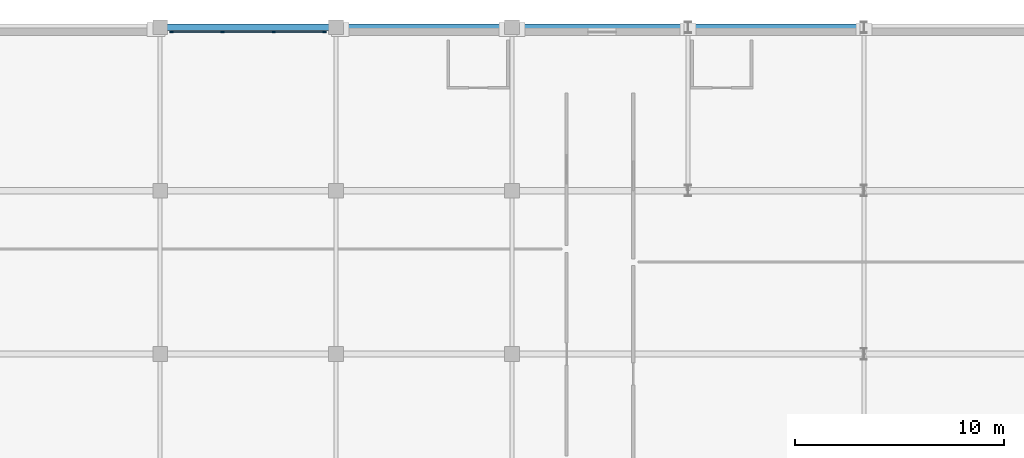
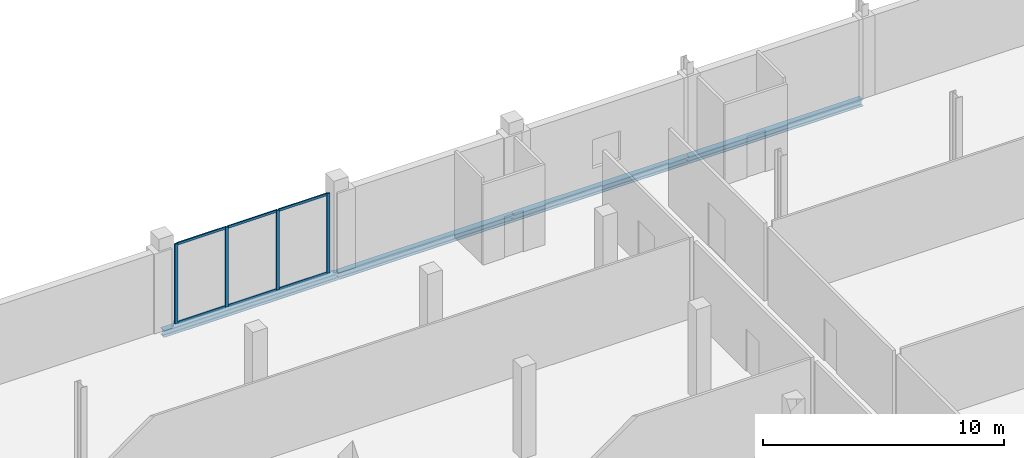
# One storey, part 59 of 98: 10 members, 4 beams, 1 element without a shape of its own.
"""IFC4 building model written with IfcOpenShell, lengths in metres."""

from ifc_helpers import new_model, si_unit, direction, frame, origin, origin_2d, place, context, subcontext, project, spatial, rectangle, i_section, extrude, material, material_profile, profile_set, type_object, element, aggregate, save


model = new_model("IFC4")

# Units and contexts
model_context = context("Model", 3, precision=1e-05, world=origin(), true_north=direction((0.0, 1.0)))
body_context = subcontext(model_context, "Body", "Model", "MODEL_VIEW")
ifc_project = project(units=[si_unit("LENGTHUNIT", "METRE"), si_unit("AREAUNIT", "SQUARE_METRE"), si_unit("VOLUMEUNIT", "CUBIC_METRE"), si_unit("PLANEANGLEUNIT", "RADIAN"), si_unit("MASSUNIT", "GRAM", prefix="KILO")], contexts=[model_context])

# Site, building, storey
site_placement = place(None, origin())
site = spatial("IfcSite", under=ifc_project, at=site_placement, CompositionType="ELEMENT")
building_placement = place(site_placement, origin())
building = spatial("IfcBuilding", under=site, at=building_placement, Name="Nabrawat Pavilion Hospital", CompositionType="ELEMENT")
storey_placement = place(building_placement, frame((0.0, 0.0, 10.199951171875)))
storey = spatial("IfcBuildingStorey", under=building, at=storey_placement, Name="L02", CompositionType="ELEMENT", Elevation=10.199951171875)

# Curtain wall, members
ifc_material_1 = material(Name="Anodised Aluminium", Category="aluminium")
curtain_wall_type = type_object("IfcCurtainWallType", Name="Inpatient Dayroom Bay Curtain Wall", PredefinedType="USERDEFINED", material=ifc_material_1)
curtain_wall_placement = place(storey_placement, origin())
curtain_wall = element("IfcCurtainWall", 1, at=curtain_wall_placement, inside=storey, type_object=curtain_wall_type, Name="L02 Inpatient Dayroom Bay Curtain Wall 137", ObjectType="CURTAIN WALL", PredefinedType="USERDEFINED")
ifc_material_profile_1 = material_profile(ifc_material_1, rectangle(XDim=0.06005859375, YDim=0.159912109375, at=origin_2d()), Name="CWM 60x160")
ifc_profile_set_1 = profile_set([ifc_material_profile_1], Name="Anodised Aluminium")
member_type_1 = type_object("IfcMemberType", Name="Inpatient Dayroom Bay Curtain Wall Mullion CWM 60x160", PredefinedType="MULLION", material=ifc_profile_set_1)
member_1_placement = place(storey_placement, frame((143.35009765625, 124.580078125, 0.0), z_axis=(0.0, 0.0, 1.0), x_axis=(0.0, 1.0, 0.0)))
member_1 = element("IfcMember", 2, at=member_1_placement, type_object=member_type_1, Name="CW-WRD-01 mullion 1", PredefinedType="MULLION", context=body_context, shape_type="SweptSolid", body=[
    extrude(rectangle(XDim=0.06005859375, YDim=0.159912109375, at=origin_2d()), origin(), (0.0, 0.0, 1.0), 4.050048828125),
])
member_2_placement = place(storey_placement, frame((145.7734375, 124.580078125, 0.0), z_axis=(0.0, 0.0, 1.0), x_axis=(0.0, 1.0, 0.0)))
member_2 = element("IfcMember", 3, at=member_2_placement, type_object=member_type_1, Name="CW-WRD-01 mullion 2", PredefinedType="MULLION", context=body_context, shape_type="SweptSolid", body=[
    extrude(rectangle(XDim=0.06005859375, YDim=0.159912109375, at=origin_2d()), origin(), (0.0, 0.0, 1.0), 4.050048828125),
])
member_3_placement = place(storey_placement, frame((148.2265625, 124.580078125, 0.0), z_axis=(0.0, 0.0, 1.0), x_axis=(0.0, 1.0, 0.0)))
member_3 = element("IfcMember", 4, at=member_3_placement, type_object=member_type_1, Name="CW-WRD-01 mullion 3", PredefinedType="MULLION", context=body_context, shape_type="SweptSolid", body=[
    extrude(rectangle(XDim=0.06005859375, YDim=0.159912109375, at=origin_2d()), origin(), (0.0, 0.0, 1.0), 4.050048828125),
])
member_4_placement = place(storey_placement, frame((150.64990234375, 124.580078125, 0.0), z_axis=(0.0, 0.0, 1.0), x_axis=(0.0, 1.0, 0.0)))
member_4 = element("IfcMember", 5, at=member_4_placement, type_object=member_type_1, Name="CW-WRD-01 mullion 4", PredefinedType="MULLION", context=body_context, shape_type="SweptSolid", body=[
    extrude(rectangle(XDim=0.06005859375, YDim=0.159912109375, at=origin_2d()), origin(), (0.0, 0.0, 1.0), 4.050048828125),
])
ifc_material_profile_2 = material_profile(ifc_material_1, rectangle(XDim=0.06005859375, YDim=0.1201171875, at=origin_2d()), Name="CWT 60x120")
ifc_profile_set_2 = profile_set([ifc_material_profile_2], Name="Anodised Aluminium")
member_type_2 = type_object("IfcMemberType", Name="Inpatient Dayroom Bay Curtain Wall Transom CWT 60x120", PredefinedType="USERDEFINED", material=ifc_profile_set_2)
member_5_placement = place(storey_placement, frame((143.3798828125, 124.580078125, 0.030029296875), z_axis=(1.0, 0.0, 0.0), x_axis=(0.0, 1.0, 0.0)))
member_5 = element("IfcMember", 6, at=member_5_placement, type_object=member_type_2, Name="CW-WRD-01 transom 1.1", ObjectType="TRANSOM", PredefinedType="USERDEFINED", context=body_context, shape_type="SweptSolid", body=[
    extrude(rectangle(XDim=0.06005859375, YDim=0.1201171875, at=origin_2d()), origin(), (0.0, 0.0, 1.0), 2.363525390625),
])
member_6_placement = place(storey_placement, frame((143.3798828125, 124.580078125, 4.02001953125), z_axis=(1.0, 0.0, 0.0), x_axis=(0.0, 1.0, 0.0)))
member_6 = element("IfcMember", 7, at=member_6_placement, type_object=member_type_2, Name="CW-WRD-01 transom 1.2", ObjectType="TRANSOM", PredefinedType="USERDEFINED", context=body_context, shape_type="SweptSolid", body=[
    extrude(rectangle(XDim=0.06005859375, YDim=0.1201171875, at=origin_2d()), origin(), (0.0, 0.0, 1.0), 2.363525390625),
])
member_7_placement = place(storey_placement, frame((145.80322265625, 124.580078125, 0.030029296875), z_axis=(1.0, 0.0, 0.0), x_axis=(0.0, 1.0, 0.0)))
member_7 = element("IfcMember", 8, at=member_7_placement, type_object=member_type_2, Name="CW-WRD-01 transom 2.1", ObjectType="TRANSOM", PredefinedType="USERDEFINED", context=body_context, shape_type="SweptSolid", body=[
    extrude(rectangle(XDim=0.06005859375, YDim=0.1201171875, at=origin_2d()), origin(), (0.0, 0.0, 1.0), 2.3935546875),
])
member_8_placement = place(storey_placement, frame((145.80322265625, 124.580078125, 4.02001953125), z_axis=(1.0, 0.0, 0.0), x_axis=(0.0, 1.0, 0.0)))
member_8 = element("IfcMember", 9, at=member_8_placement, type_object=member_type_2, Name="CW-WRD-01 transom 2.2", ObjectType="TRANSOM", PredefinedType="USERDEFINED", context=body_context, shape_type="SweptSolid", body=[
    extrude(rectangle(XDim=0.06005859375, YDim=0.1201171875, at=origin_2d()), origin(), (0.0, 0.0, 1.0), 2.3935546875),
])
member_9_placement = place(storey_placement, frame((148.256591796875, 124.580078125, 0.030029296875), z_axis=(1.0, 0.0, 0.0), x_axis=(0.0, 1.0, 0.0)))
member_9 = element("IfcMember", 10, at=member_9_placement, type_object=member_type_2, Name="CW-WRD-01 transom 3.1", ObjectType="TRANSOM", PredefinedType="USERDEFINED", context=body_context, shape_type="SweptSolid", body=[
    extrude(rectangle(XDim=0.06005859375, YDim=0.1201171875, at=origin_2d()), origin(), (0.0, 0.0, 1.0), 2.363525390625),
])
member_10_placement = place(storey_placement, frame((148.256591796875, 124.580078125, 4.02001953125), z_axis=(1.0, 0.0, 0.0), x_axis=(0.0, 1.0, 0.0)))
member_10 = element("IfcMember", 11, at=member_10_placement, type_object=member_type_2, Name="CW-WRD-01 transom 3.2", ObjectType="TRANSOM", PredefinedType="USERDEFINED", context=body_context, shape_type="SweptSolid", body=[
    extrude(rectangle(XDim=0.06005859375, YDim=0.1201171875, at=origin_2d()), origin(), (0.0, 0.0, 1.0), 2.363525390625),
])
aggregate(curtain_wall, [member_1, member_2, member_3, member_4, member_5, member_6, member_7, member_8, member_9, member_10])

# Beams
ifc_material_2 = material(Name="Steel S355", Category="steel")
ifc_material_profile_3 = material_profile(ifc_material_2, i_section(OverallWidth=0.300048828125, OverallDepth=0.340087890625, WebThickness=0.011962890625, FlangeThickness=0.021484375, FilletRadius=0.027099609375, at=origin_2d()), Name="HEB 340")
ifc_profile_set_3 = profile_set([ifc_material_profile_3], Name="Steel S355")
beam_type = type_object("IfcBeamType", Name="Ward Perimeter Spandrel Beam HEB 340", PredefinedType="SPANDREL", material=ifc_profile_set_3)
beam_1_placement = place(storey_placement, frame((142.820068359375, 124.800048828125, -0.419921875), z_axis=(1.0, 0.0, 0.0), x_axis=(0.0, 1.0, 0.0)))
element("IfcBeam", 12, at=beam_1_placement, inside=storey, type_object=beam_type, Name="L02 Primary X Girder 1166", PredefinedType="SPANDREL", context=body_context, shape_type="SweptSolid", body=[
    extrude(i_section(OverallWidth=0.300048828125, OverallDepth=0.340087890625, WebThickness=0.011962890625, FlangeThickness=0.021484375, FilletRadius=0.027099609375, at=origin_2d()), origin(), (0.0, 0.0, 1.0), 8.35986328125),
])
beam_2_placement = place(storey_placement, frame((151.219970703125, 124.800048828125, -0.419921875), z_axis=(1.0, 0.0, 0.0), x_axis=(0.0, 1.0, 0.0)))
element("IfcBeam", 13, at=beam_2_placement, inside=storey, type_object=beam_type, Name="L02 Primary X Girder 1167", PredefinedType="SPANDREL", context=body_context, shape_type="SweptSolid", body=[
    extrude(i_section(OverallWidth=0.300048828125, OverallDepth=0.340087890625, WebThickness=0.011962890625, FlangeThickness=0.021484375, FilletRadius=0.027099609375, at=origin_2d()), origin(), (0.0, 0.0, 1.0), 8.360107421875),
])
for number, where, z_axis, x_axis, name in (
    (14, (159.6201171875, 124.800048828125, -0.419921875), (1.0, 0.0, 0.0), (0.0, 1.0, 0.0), "L02 Primary X Girder 1168"),
    (15, (168.02001953125, 124.800048828125, -0.419921875), (1.0, 0.0, 0.0), (0.0, 1.0, 0.0), "L02 Primary X Girder 1169"),
):
    element("IfcBeam", number, at=place(storey_placement, frame(where, z_axis=z_axis, x_axis=x_axis)), inside=storey, type_object=beam_type, Name=name, PredefinedType="SPANDREL", context=body_context, shape_type="SweptSolid", body=[
        extrude(i_section(OverallWidth=0.300048828125, OverallDepth=0.340087890625, WebThickness=0.011962890625, FlangeThickness=0.021484375, FilletRadius=0.027099609375, at=origin_2d()), origin(), (0.0, 0.0, 1.0), 8.35986328125),
    ])

save(model, "model.ifc")
